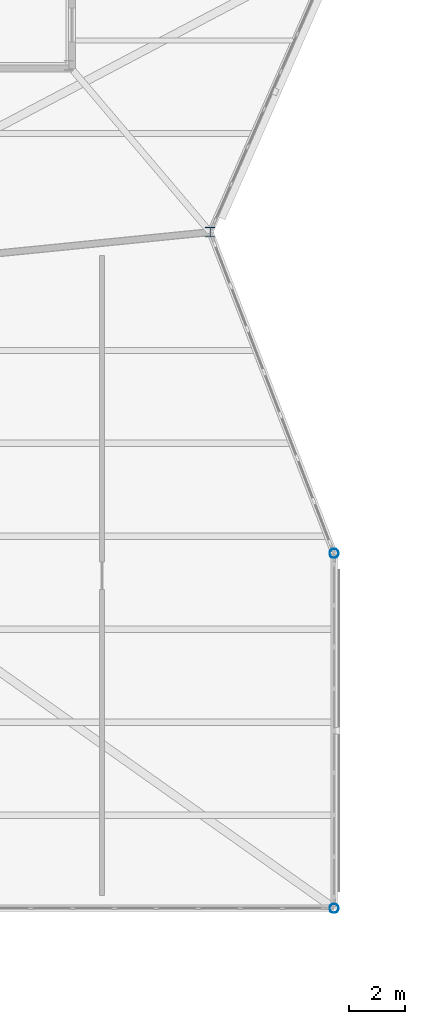
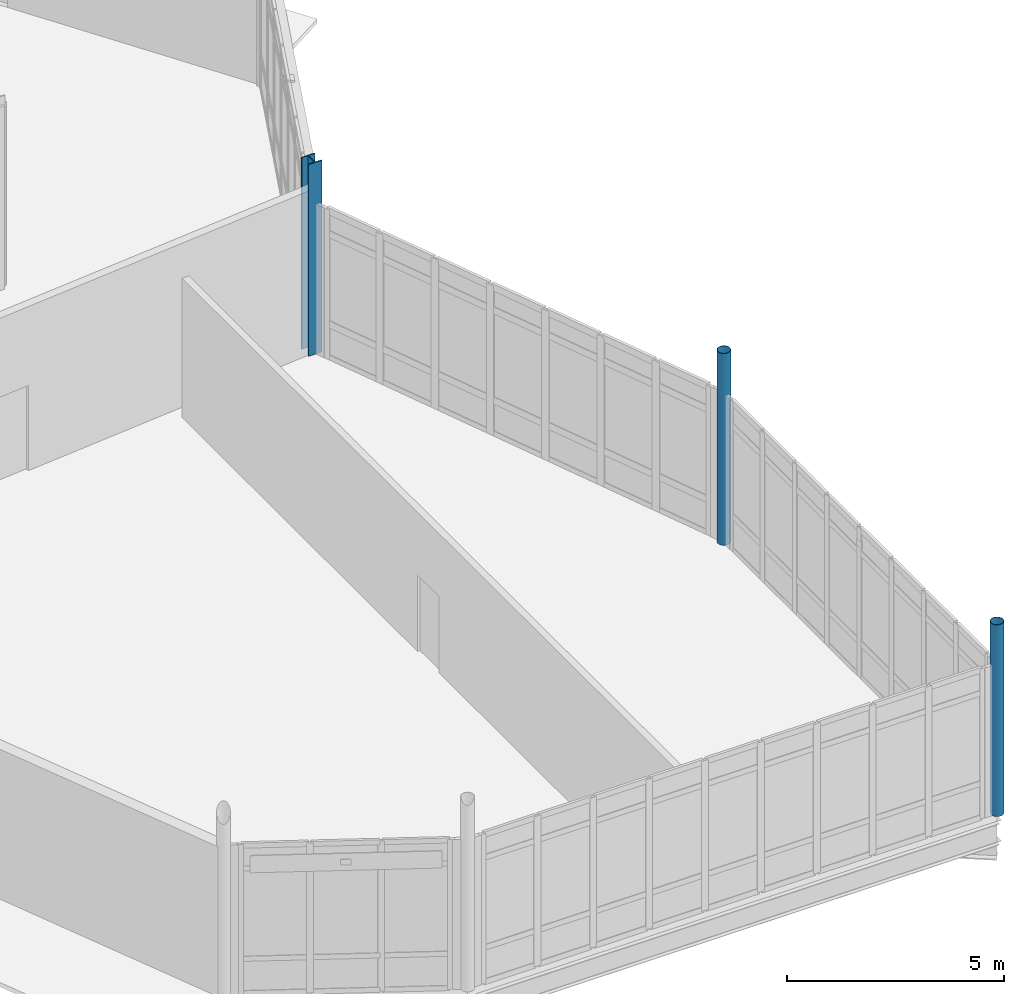
# One storey, part 19 of 113: 3 columns.
"""IFC4 building model written with IfcOpenShell, lengths in metres."""

from ifc_helpers import new_model, si_unit, direction, frame, origin, origin_2d, place, context, subcontext, project, spatial, hollow_circle, i_section, extrude, material, material_profile, profile_set, type_object, element, save


model = new_model("IFC4")

# Units and contexts
model_context = context("Model", 3, precision=1e-05, world=origin(), true_north=direction((0.0, 1.0)))
body_context = subcontext(model_context, "Body", "Model", "MODEL_VIEW")
ifc_project = project(units=[si_unit("LENGTHUNIT", "METRE"), si_unit("AREAUNIT", "SQUARE_METRE"), si_unit("VOLUMEUNIT", "CUBIC_METRE"), si_unit("PLANEANGLEUNIT", "RADIAN"), si_unit("MASSUNIT", "GRAM", prefix="KILO")], contexts=[model_context])

# Site, building, storey
site_placement = place(None, origin())
site = spatial("IfcSite", under=ifc_project, at=site_placement, CompositionType="ELEMENT")
building_placement = place(site_placement, origin())
building = spatial("IfcBuilding", under=site, at=building_placement, Name="Tameran Prism Museum", CompositionType="ELEMENT")
storey_placement = place(building_placement, origin())
storey = spatial("IfcBuildingStorey", under=building, at=storey_placement, Name="L00", CompositionType="ELEMENT", Elevation=0.0)

# Columns
ifc_material_1 = material(Name="Steel Grade C350L0 (350 MPa)", Category="steel")
ifc_material_profile_1 = material_profile(ifc_material_1, hollow_circle(Radius=0.161865234375, WallThickness=0.010009765625, at=origin_2d()))
ifc_profile_set_1 = profile_set([ifc_material_profile_1])
column_type_1 = type_object("IfcColumnType", Name="COL-CHS324", PredefinedType="COLUMN", material=ifc_profile_set_1)
for number, where, z_axis, x_axis, name in (
    (1, (166.39990234375, 0.0, 0.0), (0.0, 0.0, 1.0), (1.0, 0.0, 0.0), "Column CV-68 L00"),
    (2, (166.39990234375, 12.60009765625, 0.0), (0.0, 0.0, 1.0), (1.0, 0.0, 0.0), "Column CV-69 L00"),
):
    element("IfcColumn", number, at=place(storey_placement, frame(where, z_axis=z_axis, x_axis=x_axis)), inside=storey, type_object=column_type_1, Name=name, PredefinedType="COLUMN", context=body_context, shape_type="SweptSolid", body=[
        extrude(hollow_circle(Radius=0.161865234375, WallThickness=0.010009765625, at=origin_2d()), origin(), (0.0, 0.0, 1.0), 5.39990234375),
    ])
ifc_material_2 = material(Name="Steel Grade 350 (350 MPa)", Category="steel")
ifc_material_profile_2 = material_profile(ifc_material_2, i_section(OverallWidth=0.35009765625, OverallDepth=0.35009765625, WebThickness=0.02001953125, FlangeThickness=0.028076171875, at=origin_2d()))
ifc_profile_set_2 = profile_set([ifc_material_profile_2])
column_type_2 = type_object("IfcColumnType", Name="COL-WC350", PredefinedType="COLUMN", material=ifc_profile_set_2)
column_placement = place(storey_placement, frame((162.0, 24.0, 0.0), z_axis=(0.0, 0.0, 1.0), x_axis=(1.0, 0.0, 0.0)))
element("IfcColumn", 3, at=column_placement, inside=storey, type_object=column_type_2, Name="Column CV-66 L00", PredefinedType="COLUMN", context=body_context, shape_type="SweptSolid", body=[
    extrude(i_section(OverallWidth=0.35009765625, OverallDepth=0.35009765625, WebThickness=0.02001953125, FlangeThickness=0.028076171875, at=origin_2d()), origin(), (0.0, 0.0, 1.0), 5.39990234375),
])

save(model, "model.ifc")
